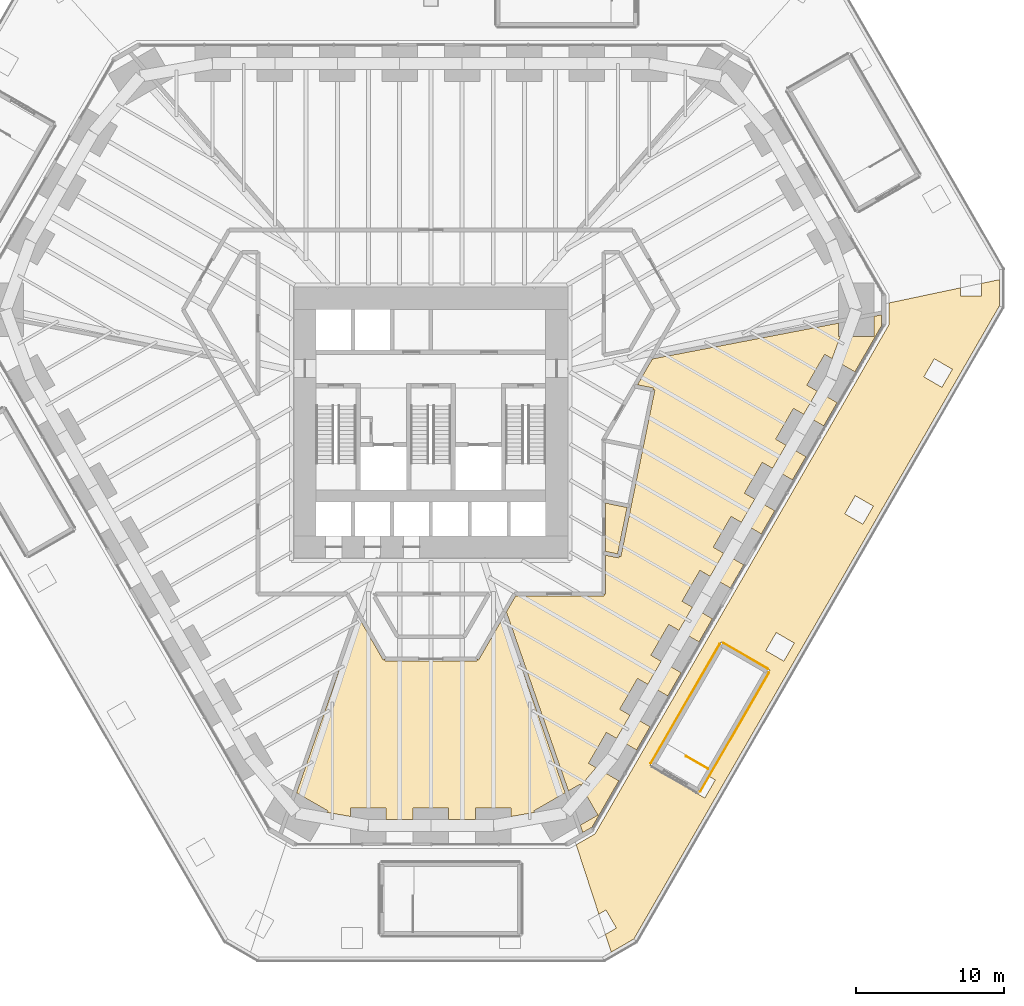
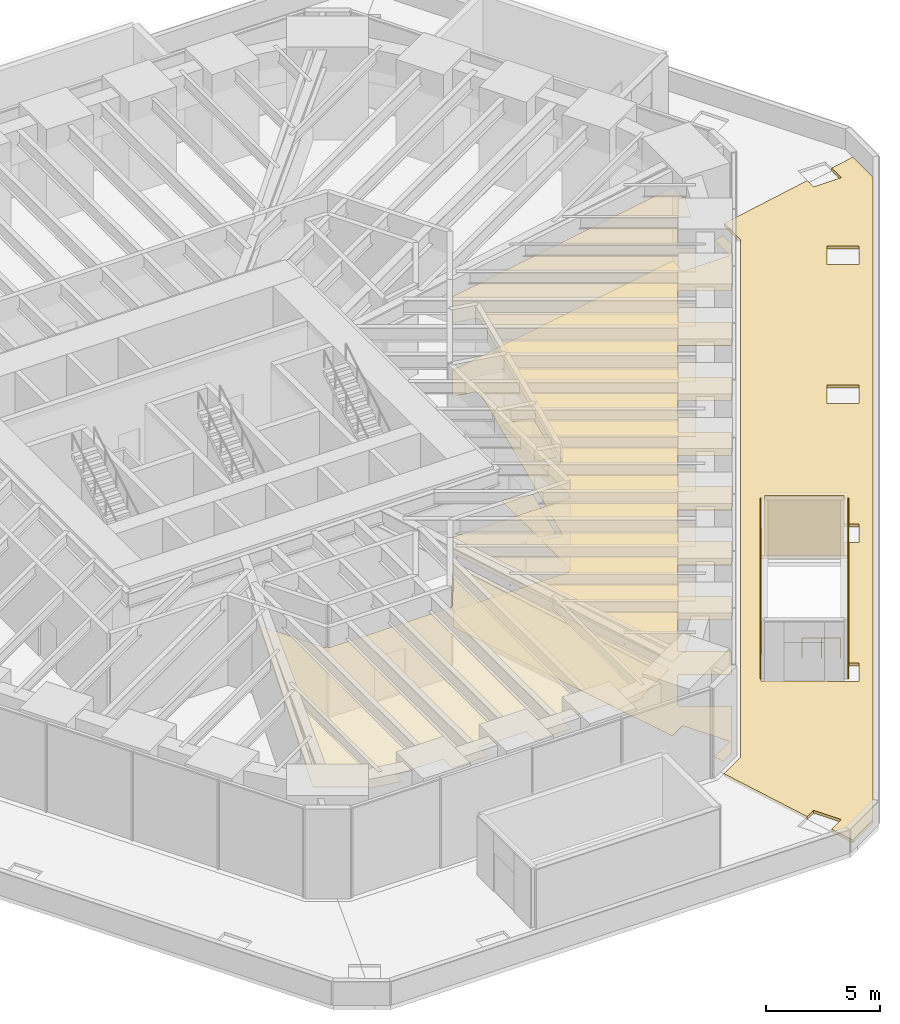
# One storey, part 16 of 20: 9 coverings, 1 railing.
"""IFC4 building model written with IfcOpenShell, lengths in metres."""

import ifcopenshell
import ifcopenshell.guid

model = None  # the IFC model being written
_history = None  # IfcOwnerHistory: only IFC2X3 demands one
_inside = {}  # id of a spatial element -> (the spatial element, [elements in it])
_under = {}  # id of a project, library or spatial element -> (it, [spatial elements below it])
_declared = {}  # id of a project -> (the project, [libraries it declares])
_typed = {}  # id of a type object -> (the type object, [elements of that type])
_made_of = {}  # id of a material, layer set ... -> (it, [elements and type objects made of it])


def new_model(schema):
    """Start an empty IFC model of exactly this schema.

    Asked for "IFC4X3", IfcOpenShell would pick the latest addendum, in which some entities
    have other attributes; the version numbers below select the first issue.
    IFC2X3 requires an IfcOwnerHistory on every rooted entity: one is made here for all.
    """
    global model, _history
    if schema == "IFC4X3":
        model = ifcopenshell.file(schema_version=(4, 3, 0, 0))
    else:
        model = ifcopenshell.file(schema=schema)
    _inside.clear()
    _under.clear()
    _declared.clear()
    _typed.clear()
    _made_of.clear()
    _history = None
    if model.schema == "IFC2X3":
        org = make("IfcOrganization", Name="unknown")
        user = make(
            "IfcPersonAndOrganization",
            ThePerson=make("IfcPerson", FamilyName="unknown"),
            TheOrganization=org,
        )
        app = make(
            "IfcApplication",
            ApplicationDeveloper=org,
            Version="unknown",
            ApplicationFullName="unknown",
            ApplicationIdentifier="unknown",
        )
        _history = make(
            "IfcOwnerHistory",
            OwningUser=user,
            OwningApplication=app,
            ChangeAction="ADDED",
            CreationDate=0,
        )
    return model


def make(cls, **values):
    """One entity of the class cls with the attributes given. An attribute that is None is left unset."""
    return model.create_entity(
        cls, **{name: value for name, value in values.items() if value is not None}
    )


def rooted(cls, **values):
    """An entity with a GlobalId (a new one), such as an element, a storey or a relation."""
    return make(cls, GlobalId=ifcopenshell.guid.new(), OwnerHistory=_history, **values)


def si_unit(unit_type, name, prefix=None):
    """IfcSIUnit, for example si_unit("LENGTHUNIT", "METRE", prefix="MILLI")."""
    return make("IfcSIUnit", UnitType=unit_type, Prefix=prefix, Name=name)


def assignment(units):
    """IfcUnitAssignment: the units of a project."""
    return None if units is None else make("IfcUnitAssignment", Units=units)


def point(xyz):
    """IfcCartesianPoint."""
    return None if xyz is None else make("IfcCartesianPoint", Coordinates=xyz)


def direction(xyz):
    """IfcDirection."""
    return None if xyz is None else make("IfcDirection", DirectionRatios=xyz)


def frame(location, z_axis=None, x_axis=None):
    """IfcAxis2Placement3D, a coordinate frame: its origin and axes. An axis left out is left unset."""
    return make(
        "IfcAxis2Placement3D",
        Location=point(location),
        Axis=direction(z_axis),
        RefDirection=direction(x_axis),
    )


def frame_2d(location, x_axis=None):
    """IfcAxis2Placement2D, a coordinate frame in the plane: its origin and x axis."""
    return make(
        "IfcAxis2Placement2D", Location=point(location), RefDirection=direction(x_axis)
    )


def origin():
    """The frame at (0, 0, 0) with its axes left unset."""
    return frame((0.0, 0.0, 0.0))


def origin_2d():
    """The frame at (0, 0) in the plane with its x axis left unset."""
    return frame_2d((0.0, 0.0))


def place(relative_to, where):
    """IfcLocalPlacement: puts the frame where relative to a parent placement (None: the world)."""
    return make(
        "IfcLocalPlacement", PlacementRelTo=relative_to, RelativePlacement=where
    )


def context(
    kind, dimensions, precision=None, world=None, true_north=None, identifier=None
):
    """IfcGeometricRepresentationContext, for example the 3D "Model" context."""
    return make(
        "IfcGeometricRepresentationContext",
        ContextIdentifier=identifier,
        ContextType=kind,
        CoordinateSpaceDimension=dimensions,
        Precision=precision,
        WorldCoordinateSystem=world,
        TrueNorth=true_north,
    )


def subcontext(parent, identifier, kind, view, scale=None):
    """IfcGeometricRepresentationSubContext, for example "Body" below "Model"."""
    return make(
        "IfcGeometricRepresentationSubContext",
        ContextIdentifier=identifier,
        ContextType=kind,
        ParentContext=parent,
        TargetScale=scale,
        TargetView=view,
    )


def project(units=None, contexts=None):
    """IfcProject with its units and contexts."""
    return rooted(
        "IfcProject",
        Name="project",
        RepresentationContexts=contexts,
        UnitsInContext=assignment(units),
    )


def spatial(cls, under=None, at=None, **own):
    """A site, building, storey or space (cls), placed at a placement, below another one or the project."""
    s = rooted(cls, ObjectPlacement=at, **own)
    if under is not None:
        _under.setdefault(under.id(), (under, []))[1].append(s)
    return s


def polyline(points):
    """IfcPolyline through the points."""
    return make("IfcPolyline", Points=[point(p) for p in points])


def profile(cls, at=None, kind="AREA", **sizes):
    """A parametric profile (cls). Its sizes go by their IFC names, for example OverallWidth=200.0."""
    return make(cls, ProfileType=kind, Position=at, **sizes)


def rectangle(**sizes):
    """IfcRectangleProfileDef."""
    return profile("IfcRectangleProfileDef", **sizes)


def circle(**sizes):
    """IfcCircleProfileDef."""
    return profile("IfcCircleProfileDef", **sizes)


def outline(outer, holes=None, kind="AREA"):
    """IfcArbitraryClosedProfileDef: a profile drawn as a closed curve; with holes, ...WithVoids."""
    if holes is None:
        return make("IfcArbitraryClosedProfileDef", ProfileType=kind, OuterCurve=outer)
    return make(
        "IfcArbitraryProfileDefWithVoids",
        ProfileType=kind,
        OuterCurve=outer,
        InnerCurves=holes,
    )


def extrude(swept, where, along, depth):
    """IfcExtrudedAreaSolid: the profile swept, set in the frame where, extruded along a direction by depth."""
    return make(
        "IfcExtrudedAreaSolid",
        SweptArea=swept,
        Position=where,
        ExtrudedDirection=direction(along),
        Depth=depth,
    )


def shape(context_of_items, identifier, shape_type, items):
    """IfcShapeRepresentation: the items that make up one representation, for example the "Body"."""
    return make(
        "IfcShapeRepresentation",
        ContextOfItems=context_of_items,
        RepresentationIdentifier=identifier,
        RepresentationType=shape_type,
        Items=items,
    )


def material(Name=None, Category=None):
    """IfcMaterial."""
    return make("IfcMaterial", Name=Name, Category=Category)


def layer(
    of_material, thickness, ventilated=None, Name=None, Category=None, Priority=None
):
    """IfcMaterialLayer: one layer of a wall or slab, of a material (None: an air gap)."""
    return make(
        "IfcMaterialLayer",
        Material=of_material,
        LayerThickness=thickness,
        IsVentilated=ventilated,
        Name=Name,
        Category=Category,
        Priority=Priority,
    )


def layer_set(layers, Name=None):
    """IfcMaterialLayerSet."""
    return make("IfcMaterialLayerSet", MaterialLayers=layers, LayerSetName=Name)


def made_of(thing, what):
    """Note that an element or type object is made of a material, layer set ...; save() writes the relation."""
    if what is not None:
        _made_of.setdefault(what.id(), (what, []))[1].append(thing)
    return thing


def type_object(cls, material=None, **own):
    """A type object (cls), such as IfcWallType, which elements share."""
    return made_of(rooted(cls, **own), material)


def element(
    cls,
    number,
    at=None,
    inside=None,
    cuts=None,
    type_object=None,
    material=None,
    context=None,
    identifier="Body",
    shape_type=None,
    held_by="IfcProductDefinitionShape",
    body=None,
    shapes=None,
    **own,
):
    """One element of the class cls, such as IfcWall. Its Tag is "e" and its number.

    at: its placement. inside: the storey or other place that contains it. cuts: it is an
    opening in that element (IfcRelVoidsElement). A single representation is given by context,
    identifier, shape_type and body (its items); several are given by shapes. held_by: the class
    of the entity that holds the representations. save() writes the other relations.
    """
    e = rooted(cls, Tag="e%d" % number, ObjectPlacement=at, **own)
    if body is not None:
        shapes = [shape(context, identifier, shape_type, body)]
    if shapes is not None:
        e.Representation = make(held_by, Representations=shapes)
    if inside is not None:
        _inside.setdefault(inside.id(), (inside, []))[1].append(e)
    if cuts is not None:
        rooted(
            "IfcRelVoidsElement", RelatingBuildingElement=cuts, RelatedOpeningElement=e
        )
    if type_object is not None:
        _typed.setdefault(type_object.id(), (type_object, []))[1].append(e)
    return made_of(e, material)


def aggregate(whole, parts):
    """IfcRelAggregates: a whole, such as a stair, and the parts it consists of."""
    return rooted("IfcRelAggregates", RelatingObject=whole, RelatedObjects=parts)


def save(model, path):
    """Write the relations noted so far, then the file.

    IfcRelAggregates (storeys below a building ...), IfcRelContainedInSpatialStructure (elements
    in a storey), IfcRelDefinesByType, IfcRelAssociatesMaterial and IfcRelDeclares: one each for
    every whole, place, type object, material and project.
    """
    for whole, parts in _under.values():
        aggregate(whole, parts)
    for where, things in _inside.values():
        rooted(
            "IfcRelContainedInSpatialStructure",
            RelatedElements=things,
            RelatingStructure=where,
        )
    for kind, things in _typed.values():
        rooted("IfcRelDefinesByType", RelatedObjects=things, RelatingType=kind)
    for what, things in _made_of.values():
        rooted("IfcRelAssociatesMaterial", RelatedObjects=things, RelatingMaterial=what)
    for by, libraries in _declared.values():
        rooted("IfcRelDeclares", RelatingContext=by, RelatedDefinitions=libraries)
    model.write(path)


model = new_model("IFC4")

# Units and contexts
model_context = context("Model", 3, precision=1e-05, world=origin(), true_north=direction((0.0, 1.0)))
body_context = subcontext(model_context, "Body", "Model", "MODEL_VIEW")
ifc_project = project(units=[si_unit("LENGTHUNIT", "METRE"), si_unit("AREAUNIT", "SQUARE_METRE"), si_unit("VOLUMEUNIT", "CUBIC_METRE"), si_unit("PLANEANGLEUNIT", "RADIAN"), si_unit("MASSUNIT", "GRAM", prefix="KILO")], contexts=[model_context])

# Site, building, storey
site_placement = place(None, origin())
site = spatial("IfcSite", under=ifc_project, at=site_placement, CompositionType="ELEMENT")
building_placement = place(site_placement, origin())
building = spatial("IfcBuilding", under=site, at=building_placement, Name="Sandreach Pilgrim Tower", CompositionType="ELEMENT")
storey_placement = place(building_placement, frame((0.0, 0.0, 18.0)))
storey = spatial("IfcBuildingStorey", under=building, at=storey_placement, Name="L03", CompositionType="ELEMENT", Elevation=18.0)

# Coverings
ifc_material_1 = material(Name="Nylon carpet tile on the slab", Category="textile")
ifc_layer_1 = layer(ifc_material_1, 0.008056640625)
ifc_layer_set_1 = layer_set([ifc_layer_1], Name="Carpet tile")
covering_type_1 = type_object("IfcCoveringType", Name="Carpet tile", PredefinedType="FLOORING", material=ifc_layer_set_1)
covering_1_placement = place(storey_placement, origin())
element("IfcCovering", 1, at=covering_1_placement, inside=storey, type_object=covering_type_1, Name="Floor finish 0303 Tour operators' meeting hall", PredefinedType="FLOORING", context=body_context, shape_type="SweptSolid", body=[
    extrude(outline(polyline([(10.25341796875, -29.21337890625), (10.082275390625, -28.71923828125), (11.26513671875, -28.0361328125), (10.065185546875, -25.957763671875), (9.282470703125, -26.40966796875), (5.096923828125, -14.3232421875), (5.721923828125, -13.2451171875), (11.669921875, -13.2451171875), (11.669921875, -13.1201171875), (11.794921875, -13.1201171875), (11.794921875, -10.503173828125), (12.675048828125, -10.682373046875), (12.69970703125, -10.561767578125), (12.822509765625, -10.5849609375), (15.112548828125, 0.635009765625), (14.989990234375, 0.659912109375), (15.0146484375, 0.782470703125), (13.939697265625, 0.999267578125), (14.94970703125, 2.748046875), (27.5126953125, 5.164794921875), (27.5126953125, 4.26220703125), (29.91259765625, 4.26220703125), (29.91259765625, 5.626708984375), (30.42626953125, 5.725341796875), (30.42626953125, 5.00244140625), (28.620849609375, 1.87548828125), (26.5771484375, 3.055419921875), (25.377197265625, 0.97705078125), (27.4208984375, -0.202880859375), (26.515869140625, -1.770263671875), (24.47216796875, -0.59033203125), (23.272216796875, -2.6689453125), (25.31591796875, -3.848876953125), (24.4111328125, -5.416259765625), (22.3671875, -4.236328125), (21.167236328125, -6.314697265625), (23.2109375, -7.49462890625), (22.30615234375, -9.062255859375), (20.26220703125, -7.882080078125), (19.062255859375, -9.960693359375), (21.11474609375, -11.145751953125), (20.209716796875, -12.713134765625), (18.1572265625, -11.528076171875), (16.957275390625, -13.6064453125), (19.001220703125, -14.78662109375), (18.09619140625, -16.35400390625), (16.05224609375, -15.174072265625), (14.852294921875, -17.25244140625), (16.896240234375, -18.432373046875), (15.9912109375, -19.999755859375), (13.947265625, -18.81982421875), (12.747314453125, -20.8984375), (14.791259765625, -22.078369140625), (13.88623046875, -23.645751953125), (11.842529296875, -22.4658203125), (10.642333984375, -24.544189453125), (12.686279296875, -25.72412109375), (10.880859375, -28.85107421875), (10.25341796875, -29.21337890625)])), origin(), (0.0, 0.0, 1.0), 0.008056640625),
])
ifc_material_2 = material(Name="Gypsum board suspended ceiling on a steel grid", Category="steel")
ifc_layer_2 = layer(ifc_material_2, 0.012939453125)
ifc_layer_set_2 = layer_set([ifc_layer_2], Name="Gypsum board suspended ceiling")
covering_type_2 = type_object("IfcCoveringType", Name="Gypsum board suspended ceiling", PredefinedType="CEILING", material=ifc_layer_set_2)
covering_2_placement = place(storey_placement, frame((0.0, 0.0, 3.949951171875)))
element("IfcCovering", 2, at=covering_2_placement, inside=storey, type_object=covering_type_2, Name="Ceiling 0303 Tour operators' meeting hall", PredefinedType="CEILING", context=body_context, shape_type="SweptSolid", body=[
    extrude(outline(polyline([(9.282470703125, -26.40966796875), (5.096923828125, -14.3232421875), (5.721923828125, -13.2451171875), (11.669921875, -13.2451171875), (11.669921875, -13.1201171875), (11.794921875, -13.1201171875), (11.794921875, -10.503173828125), (12.675048828125, -10.682373046875), (12.69970703125, -10.561767578125), (12.822509765625, -10.5849609375), (15.112548828125, 0.635009765625), (14.989990234375, 0.659912109375), (15.0146484375, 0.782470703125), (13.939697265625, 0.999267578125), (14.94970703125, 2.748046875), (27.5126953125, 5.164794921875), (27.5126953125, 4.26220703125), (27.629638671875, 4.26220703125), (27.08251953125, 2.763671875), (26.5771484375, 3.055419921875), (25.377197265625, 0.97705078125), (26.070068359375, 0.5771484375), (25.1650390625, -0.990478515625), (24.47216796875, -0.59033203125), (23.272216796875, -2.6689453125), (23.965087890625, -3.06884765625), (23.06005859375, -4.63623046875), (22.3671875, -4.236328125), (21.167236328125, -6.314697265625), (21.860107421875, -6.71484375), (20.955078125, -8.2822265625), (20.26220703125, -7.882080078125), (19.062255859375, -9.960693359375), (19.755126953125, -10.360595703125), (18.85009765625, -11.927978515625), (18.1572265625, -11.528076171875), (16.957275390625, -13.6064453125), (17.650146484375, -14.006591796875), (16.7451171875, -15.573974609375), (16.05224609375, -15.174072265625), (14.852294921875, -17.25244140625), (15.545166015625, -17.65234375), (14.64013671875, -19.219970703125), (13.947265625, -18.81982421875), (12.747314453125, -20.8984375), (13.440185546875, -21.29833984375), (12.53515625, -22.86572265625), (11.842529296875, -22.4658203125), (10.642333984375, -24.544189453125), (11.147705078125, -24.8359375), (10.12353515625, -26.05908203125), (10.065185546875, -25.957763671875), (9.282470703125, -26.40966796875)])), origin(), (0.0, 0.0, 1.0), 0.012939453125),
])
ifc_material_3 = material(Name="Moisture-resistant gypsum board suspended ceiling on a steel grid", Category="steel")
ifc_layer_3 = layer(ifc_material_3, 0.01611328125)
ifc_layer_set_3 = layer_set([ifc_layer_3], Name="Moisture-resistant gypsum board ceiling")
covering_type_3 = type_object("IfcCoveringType", Name="Moisture-resistant gypsum board ceiling", PredefinedType="CEILING", material=ifc_layer_set_3)
covering_3_placement = place(storey_placement, frame((0.0, 0.0, 3.75)))
element("IfcCovering", 3, at=covering_3_placement, inside=storey, type_object=covering_type_3, Name="Ceiling 0304 Kitchen", PredefinedType="CEILING", context=body_context, shape_type="SweptSolid", body=[
    extrude(outline(polyline([(-6.947509765625, -27.7578125), (-9.06201171875, -26.536865234375), (-4.929443359375, -14.603515625), (-3.21826171875, -17.572509765625), (-3.1103515625, -17.51025390625), (-3.110107421875, -17.635009765625), (3.110107421875, -17.635009765625), (3.110107421875, -17.510009765625), (3.21826171875, -17.572509765625), (4.931396484375, -14.609375), (9.06201171875, -26.536865234375), (6.947509765625, -27.7578125), (7.00537109375, -27.858154296875), (5.42236328125, -28.135009765625), (5.42236328125, -27.55078125), (3.022216796875, -27.55078125), (3.022216796875, -28.350830078125), (1.199951171875, -28.350830078125), (1.199951171875, -27.55078125), (-1.199951171875, -27.55078125), (-1.199951171875, -28.350830078125), (-3.022216796875, -28.350830078125), (-3.022216796875, -27.55078125), (-5.42236328125, -27.55078125), (-5.42236328125, -28.135009765625), (-7.00537109375, -27.858154296875), (-6.947509765625, -27.7578125)])), origin(), (0.0, 0.0, 1.0), 0.01611328125),
])
covering_4_placement = place(storey_placement, frame((0.0, 0.0, 4.10009765625)))
element("IfcCovering", 4, at=covering_4_placement, inside=storey, type_object=covering_type_3, Name="Ceiling 03T1 Women's toilets 03", PredefinedType="CEILING", context=body_context, shape_type="SweptSolid", body=[
    extrude(outline(polyline([(12.6025390625, -10.41259765625), (11.794921875, -10.247802734375), (11.794921875, -6.98291015625), (13.242431640625, -7.277587890625), (12.6025390625, -10.41259765625)])), origin(), (0.0, 0.0, 1.0), 0.015869140625),
])
ifc_material_4 = material(Name="Porcelain tile on an adhesive bed", Category="ceramic")
ifc_layer_4 = layer(ifc_material_4, 0.011962890625)
ifc_layer_set_4 = layer_set([ifc_layer_4], Name="Porcelain tile")
covering_type_4 = type_object("IfcCoveringType", Name="Porcelain tile", PredefinedType="FLOORING", material=ifc_layer_set_4)
covering_5_placement = place(storey_placement, origin())
element("IfcCovering", 5, at=covering_5_placement, inside=storey, type_object=covering_type_4, Name="Floor finish 03T1 Women's toilets 03", PredefinedType="FLOORING", context=body_context, shape_type="SweptSolid", body=[
    extrude(outline(polyline([(11.794921875, -10.247802734375), (11.794921875, -6.98291015625), (13.242431640625, -7.277587890625), (12.6025390625, -10.41259765625), (11.794921875, -10.247802734375)])), origin(), (0.0, 0.0, 1.0), 0.011962890625),
])

# Railing
ifc_material_5 = material(Name="Stainless steel tube", Category="steel")
railing_type = type_object("IfcRailingType", Name="Stair well guard", PredefinedType="GUARDRAIL", material=ifc_material_5)
railing_placement = place(storey_placement, frame((17.223388671875, -24.065673828125, 0.0)))
element("IfcRailing", 6, at=railing_placement, inside=storey, type_object=railing_type, Name="Stair well guard ST8 L03", PredefinedType="GUARDRAIL", context=body_context, shape_type="SweptSolid", body=[
    extrude(circle(Radius=0.02392578125, at=origin_2d()), frame((0.0, 0.0, 1.076171875), z_axis=(0.86605165483, -0.499954529098, 0.0), x_axis=(0.499954529098, 0.86605165483, 0.0)), (0.0, 0.0, 1.0), 1.699951171875),
    extrude(circle(Radius=0.02099609375, at=origin_2d()), origin(), (0.0, 0.0, 1.0), 1.052001953125),
    extrude(circle(Radius=0.02099609375, at=origin_2d()), frame((0.736083984375, -0.4248046875, 0.0)), (0.0, 0.0, 1.0), 1.052001953125),
    extrude(circle(Radius=0.02099609375, at=origin_2d()), frame((1.47216796875, -0.849853515625, 0.0)), (0.0, 0.0, 1.0), 1.052001953125),
])

# Coverings
ifc_material_6 = material(Name="Concrete pavers on pedestals, insulation and waterproofing membrane", Category="concrete")
ifc_layer_5 = layer(ifc_material_6, 0.14990234375)
ifc_layer_set_5 = layer_set([ifc_layer_5], Name="Terrace roofing - pavers on pedestals over insulation and membrane")
covering_type_5 = type_object("IfcCoveringType", Name="Terrace roofing - pavers on pedestals over insulation and membrane", PredefinedType="ROOFING", material=ifc_layer_set_5)
covering_6_placement = place(storey_placement, frame((0.0, 0.0, -0.14990234375)))
element("IfcCovering", 7, at=covering_6_placement, inside=storey, type_object=covering_type_5, Name="Terrace roofing L03 RING-SE", PredefinedType="ROOFING", context=body_context, shape_type="SweptSolid", body=[
    extrude(outline(polyline([(11.78173828125, -36.093017578125), (12.521240234375, -35.666015625), (11.816162109375, -34.445068359375), (11.33447265625, -34.72314453125), (9.80712890625, -30.044189453125), (11.077392578125, -29.310791015625), (30.922607421875, 5.062255859375), (30.922607421875, 6.52880859375), (35.73828125, 7.545654296875), (35.73828125, 6.989501953125), (37.148193359375, 6.989501953125), (37.148193359375, 7.84326171875), (38.376708984375, 8.1025390625), (38.375244140625, 6.33837890625), (13.698486328125, -36.4033203125), (12.17138671875, -37.286376953125), (11.78173828125, -36.093017578125)]), holes=[polyline([(18.7587890625, -25.41650390625), (22.88720703125, -18.265380859375), (19.587646484375, -16.360595703125), (14.78271484375, -24.68310546875), (17.296142578125, -26.134033203125), (17.267578125, -26.18359375), (18.488525390625, -26.888671875), (19.193603515625, -25.66748046875), (18.7587890625, -25.41650390625)]), polyline([(22.602294921875, -16.943603515625), (23.823486328125, -17.6484375), (24.5283203125, -16.427490234375), (23.307373046875, -15.722412109375), (22.602294921875, -16.943603515625)]), polyline([(29.158203125, -8.408447265625), (29.863037109375, -7.187255859375), (28.64208984375, -6.482421875), (27.93701171875, -7.703369140625), (29.158203125, -8.408447265625)]), polyline([(34.492919921875, 0.83154296875), (35.197998046875, 2.052734375), (33.976806640625, 2.7578125), (33.271728515625, 1.53662109375), (34.492919921875, 0.83154296875)])]), origin(), (0.0, 0.0, 1.0), 0.14990234375),
])
ifc_material_7 = material(Name="Terracotta rainscreen panels on aluminium rails", Category="masonry")
ifc_layer_6 = layer(ifc_material_7, 0.050048828125)
ifc_layer_set_6 = layer_set([ifc_layer_6], Name="Terracotta rainscreen cladding 50")
covering_type_6 = type_object("IfcCoveringType", Name="Terracotta rainscreen cladding 50", PredefinedType="CLADDING", material=ifc_layer_set_6)
covering_7_placement = place(storey_placement, frame((14.8427734375, -24.538818359375, 0.0), z_axis=(0.0, 0.0, 1.0), x_axis=(0.500004225487, 0.866022964185, 0.0)))
element("IfcCovering", 8, at=covering_7_placement, inside=storey, type_object=covering_type_6, Name="Rainscreen cladding on stair ST8 head-house wall", PredefinedType="CLADDING", context=body_context, shape_type="SweptSolid", body=[
    extrude(rectangle(XDim=9.30029296875, YDim=0.050048828125, at=frame_2d((4.650146484375, 0.0))), origin(), (0.0, 0.0, 1.0), 3.199951171875),
])
covering_8_placement = place(storey_placement, frame((19.73193359375, -16.420654296875, 0.0), z_axis=(0.0, 0.0, 1.0), x_axis=(0.866019471182, -0.500010275428, 0.0)))
element("IfcCovering", 9, at=covering_8_placement, inside=storey, type_object=covering_type_6, Name="Rainscreen cladding on stair ST8 head-house wall", PredefinedType="CLADDING", context=body_context, shape_type="SweptSolid", body=[
    extrude(rectangle(XDim=3.5, YDim=0.050048828125, at=frame_2d((1.75, 0.0))), origin(), (0.0, 0.0, 1.0), 3.199951171875),
])
covering_9_placement = place(storey_placement, frame((22.8271484375, -18.40966796875, 0.0), z_axis=(0.0, 0.0, 1.0), x_axis=(-0.500004225487, -0.866022964185, 0.0)))
element("IfcCovering", 10, at=covering_9_placement, inside=storey, type_object=covering_type_6, Name="Rainscreen cladding on stair ST8 head-house wall", PredefinedType="CLADDING", context=body_context, shape_type="SweptSolid", body=[
    extrude(rectangle(XDim=9.30029296875, YDim=0.050048828125, at=frame_2d((4.650146484375, 0.0))), origin(), (0.0, 0.0, 1.0), 3.199951171875),
])

save(model, "model.ifc")
